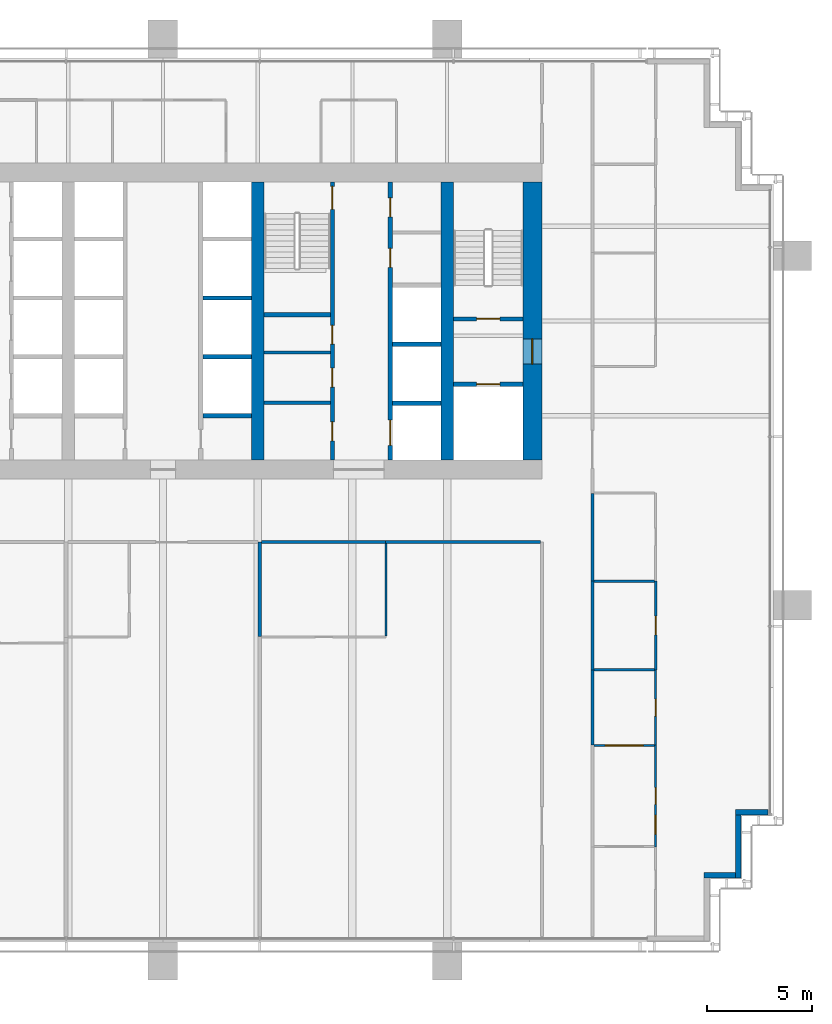
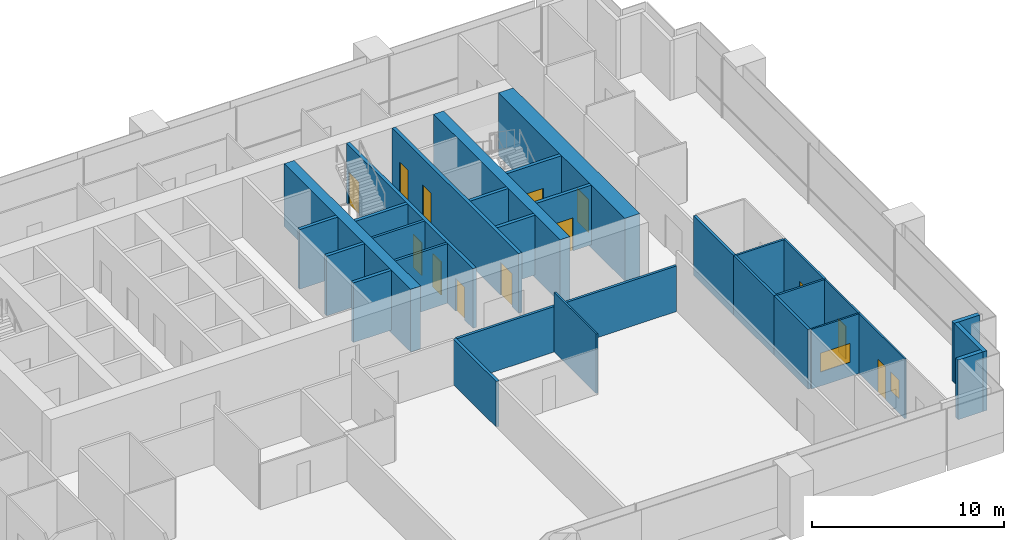
# One storey, part 12 of 17: 31 walls, 13 doors, 2 windows, 15 openings.
"""IFC4 building model written with IfcOpenShell, lengths in metres."""

from ifc_helpers import new_model, si_unit, direction, frame, frame_2d, origin, place, context, subcontext, project, spatial, rectangle, extrude, material, layer, layer_set, type_object, element, fill, save


model = new_model("IFC4")

# Units and contexts
model_context = context("Model", 3, precision=1e-05, world=origin(), true_north=direction((0.0, 1.0)))
body_context = subcontext(model_context, "Body", "Model", "MODEL_VIEW")
ifc_project = project(units=[si_unit("LENGTHUNIT", "METRE"), si_unit("AREAUNIT", "SQUARE_METRE"), si_unit("VOLUMEUNIT", "CUBIC_METRE"), si_unit("PLANEANGLEUNIT", "RADIAN"), si_unit("MASSUNIT", "GRAM", prefix="KILO")], contexts=[model_context])

# Site, building, storey
site_placement = place(None, origin())
site = spatial("IfcSite", under=ifc_project, at=site_placement, CompositionType="ELEMENT")
building_placement = place(site_placement, origin())
building = spatial("IfcBuilding", under=site, at=building_placement, Name="Rattan Terrace Tower", CompositionType="ELEMENT")
storey_placement = place(building_placement, frame((0.0, 0.0, 146.10009765625)))
storey = spatial("IfcBuildingStorey", under=building, at=storey_placement, Name="L33", CompositionType="ELEMENT", Elevation=146.10009765625)

# Walls
ifc_material_1 = material(Name="Gypsum board partition")
ifc_layer_1 = layer(ifc_material_1, 0.14990234375)
ifc_layer_set_1 = layer_set([ifc_layer_1], Name="Core partition 150")
wall_type_1 = type_object("IfcWallType", Name="Core partition 150", PredefinedType="PARTITIONING", material=ifc_layer_set_1)
for number, where, z_axis, x_axis, name in (
    (1, (4.800048828125, -3.8798828125, 0.0), (0.0, 0.0, 1.0), (1.0, 0.0, 0.0), "Toilet wall"),
    (2, (4.800048828125, -1.5, 0.0), (0.0, 0.0, 1.0), (1.0, 0.0, 0.0), "Toilet wall"),
):
    element("IfcWall", number, at=place(storey_placement, frame(where, z_axis=z_axis, x_axis=x_axis)), inside=storey, type_object=wall_type_1, Name=name, PredefinedType="PARTITIONING", context=body_context, shape_type="SweptSolid", body=[
        extrude(rectangle(XDim=3.14990234375, YDim=0.14990234375, at=frame_2d((1.574951171875, 0.0))), origin(), (0.0, 0.0, 1.0), 3.7998046875),
    ])

# Wall, opening, door
ifc_material_2 = material(Name="Gypsum board partition")
ifc_layer_2 = layer(ifc_material_2, 0.199951171875)
ifc_layer_set_2 = layer_set([ifc_layer_2], Name="Core partition 200")
wall_type_2 = type_object("IfcWallType", Name="Core partition 200", PredefinedType="PARTITIONING", material=ifc_layer_set_2)
wall_1_placement = place(storey_placement, frame((13.800048828125, -3.0, 0.0), z_axis=(0.0, 0.0, 1.0), x_axis=(1.0, 0.0, 0.0)))
wall_1 = element("IfcWall", 3, at=wall_1_placement, inside=storey, type_object=wall_type_2, Name="Fire-fighting lobby wall", PredefinedType="PARTITIONING", context=body_context, shape_type="SweptSolid", body=[
    extrude(rectangle(XDim=3.300048828125, YDim=0.199951171875, at=frame_2d((1.64990234375, 0.0))), origin(), (0.0, 0.0, 1.0), 3.7998046875),
])
opening_1_placement = place(wall_1_placement, frame((1.10009765625, 0.0, 0.0)))
opening_1 = element("IfcOpeningElement", 4, at=opening_1_placement, cuts=wall_1, Name="Opening L33-LD-FF2", PredefinedType="OPENING", context=body_context, shape_type="SweptSolid", body=[
    extrude(rectangle(XDim=1.10009765625, YDim=2.10009765625, at=frame_2d((0.550048828125, 1.050048828125))), frame((0.0, 0.110595703125, 0.0), z_axis=(0.0, -1.0, 0.0), x_axis=(1.0, 0.0, 0.0)), (0.0, 0.0, 1.0), 0.220947265625),
])
ifc_material_3 = material(Name="Brushed stainless landing door panel")
door_type_1 = type_object("IfcDoorType", Name="Core lift landing door 1100", OperationType="DOUBLE_DOOR_SLIDING", PredefinedType="DOOR", material=ifc_material_3)
door_1_placement = place(opening_1_placement, origin())
door_1 = element("IfcDoor", 5, at=door_1_placement, inside=storey, type_object=door_type_1, Name="Door L33-LD-FF2", OperationType="DOUBLE_DOOR_SLIDING", OverallHeight=2.10009765625, OverallWidth=1.10009765625, PredefinedType="DOOR", context=body_context, shape_type="SweptSolid", body=[
    extrude(rectangle(XDim=1.10009765625, YDim=2.10009765625, at=frame_2d((0.550048828125, 1.050048828125))), frame((0.0, 0.02490234375, 0.0), z_axis=(0.0, -1.0, 0.0), x_axis=(1.0, 0.0, 0.0)), (0.0, 0.0, 1.0), 0.050048828125),
])
fill(opening_1, door_1)

wall_2_placement = place(storey_placement, frame((13.800048828125, 0.10009765625, 0.0), z_axis=(0.0, 0.0, 1.0), x_axis=(1.0, 0.0, 0.0)))
wall_2 = element("IfcWall", 6, at=wall_2_placement, inside=storey, type_object=wall_type_2, Name="Stair enclosure wall", PredefinedType="PARTITIONING", context=body_context, shape_type="SweptSolid", body=[
    extrude(rectangle(XDim=3.300048828125, YDim=0.199951171875, at=frame_2d((1.64990234375, 0.0))), origin(), (0.0, 0.0, 1.0), 3.7998046875),
])
opening_2_placement = place(wall_2_placement, frame((1.10009765625, 0.0, 0.0)))
opening_2 = element("IfcOpeningElement", 7, at=opening_2_placement, cuts=wall_2, Name="Opening L33-D004", PredefinedType="OPENING", context=body_context, shape_type="SweptSolid", body=[
    extrude(rectangle(XDim=1.10009765625, YDim=2.10009765625, at=frame_2d((0.550048828125, 1.050048828125))), frame((0.0, 0.110595703125, 0.0), z_axis=(0.0, -1.0, 0.0), x_axis=(1.0, 0.0, 0.0)), (0.0, 0.0, 1.0), 0.220947265625),
])
ifc_material_4 = material(Name="Hollow-metal fire door leaf")
door_type_2 = type_object("IfcDoorType", Name="Core stair door 1100", OperationType="NOTDEFINED", PredefinedType="DOOR", material=ifc_material_4)
door_2_placement = place(opening_2_placement, origin())
door_2 = element("IfcDoor", 8, at=door_2_placement, inside=storey, type_object=door_type_2, Name="Door L33-D004", OperationType="SINGLE_SWING_LEFT", OverallHeight=2.10009765625, OverallWidth=1.10009765625, PredefinedType="DOOR", context=body_context, shape_type="SweptSolid", body=[
    extrude(rectangle(XDim=1.10009765625, YDim=2.10009765625, at=frame_2d((0.550048828125, 1.050048828125))), frame((0.0, 0.02490234375, 0.0), z_axis=(0.0, -1.0, 0.0), x_axis=(1.0, 0.0, 0.0)), (0.0, 0.0, 1.0), 0.050048828125),
])
fill(opening_2, door_2)

# Wall, openings, doors
wall_3_placement = place(storey_placement, frame((8.050048828125, -6.60009765625, 0.0), z_axis=(0.0, 0.0, 1.0), x_axis=(0.0, 1.0, 0.0)))
wall_3 = element("IfcWall", 9, at=wall_3_placement, inside=storey, type_object=wall_type_2, Name="Lobby wall west", PredefinedType="PARTITIONING", context=body_context, shape_type="SweptSolid", body=[
    extrude(rectangle(XDim=13.2001953125, YDim=0.199951171875, at=frame_2d((6.60009765625, 0.0))), origin(), (0.0, 0.0, 1.0), 3.7998046875),
])
opening_3_placement = place(wall_3_placement, frame((0.909912109375, 0.0, 0.0)))
opening_3 = element("IfcOpeningElement", 10, at=opening_3_placement, cuts=wall_3, Name="Opening L33-D011", PredefinedType="OPENING", context=body_context, shape_type="SweptSolid", body=[
    extrude(rectangle(XDim=0.89990234375, YDim=2.10009765625, at=frame_2d((0.449951171875, 1.050048828125))), frame((0.0, 0.110595703125, 0.0), z_axis=(0.0, -1.0, 0.0), x_axis=(1.0, 0.0, 0.0)), (0.0, 0.0, 1.0), 0.220947265625),
])
opening_4_placement = place(wall_3_placement, frame((3.4599609375, 0.0, 0.0)))
opening_4 = element("IfcOpeningElement", 11, at=opening_4_placement, cuts=wall_3, Name="Opening L33-D012", PredefinedType="OPENING", context=body_context, shape_type="SweptSolid", body=[
    extrude(rectangle(XDim=0.89990234375, YDim=2.10009765625, at=frame_2d((0.449951171875, 1.050048828125))), frame((0.0, 0.110595703125, 0.0), z_axis=(0.0, -1.0, 0.0), x_axis=(1.0, 0.0, 0.0)), (0.0, 0.0, 1.0), 0.220947265625),
])
opening_5_placement = place(wall_3_placement, frame((5.5, 0.0, 0.0)))
opening_5 = element("IfcOpeningElement", 12, at=opening_5_placement, cuts=wall_3, Name="Opening L33-D013", PredefinedType="OPENING", context=body_context, shape_type="SweptSolid", body=[
    extrude(rectangle(XDim=0.89990234375, YDim=2.10009765625, at=frame_2d((0.449951171875, 1.050048828125))), frame((0.0, 0.110595703125, 0.0), z_axis=(0.0, -1.0, 0.0), x_axis=(1.0, 0.0, 0.0)), (0.0, 0.0, 1.0), 0.220947265625),
])
opening_6_placement = place(wall_3_placement, frame((11.89990234375, 0.0, 0.0)))
opening_6 = element("IfcOpeningElement", 13, at=opening_6_placement, cuts=wall_3, Name="Opening L33-D014", PredefinedType="OPENING", context=body_context, shape_type="SweptSolid", body=[
    extrude(rectangle(XDim=1.10009765625, YDim=2.10009765625, at=frame_2d((0.550048828125, 1.050048828125))), frame((0.0, 0.110595703125, 0.0), z_axis=(0.0, -1.0, 0.0), x_axis=(1.0, 0.0, 0.0)), (0.0, 0.0, 1.0), 0.220947265625),
])
ifc_material_5 = material(Name="Hollow-metal fire door leaf")
door_type_3 = type_object("IfcDoorType", Name="Core service room door 900", OperationType="NOTDEFINED", PredefinedType="DOOR", material=ifc_material_5)
door_3_placement = place(opening_5_placement, origin())
door_3 = element("IfcDoor", 14, at=door_3_placement, inside=storey, type_object=door_type_3, Name="Door L33-D013", OperationType="SINGLE_SWING_LEFT", OverallHeight=2.10009765625, OverallWidth=0.89990234375, PredefinedType="DOOR", context=body_context, shape_type="SweptSolid", body=[
    extrude(rectangle(XDim=0.89990234375, YDim=2.10009765625, at=frame_2d((0.449951171875, 1.050048828125))), frame((0.0, 0.02490234375, 0.0), z_axis=(0.0, -1.0, 0.0), x_axis=(1.0, 0.0, 0.0)), (0.0, 0.0, 1.0), 0.050048828125),
])
fill(opening_5, door_3)
door_4_placement = place(opening_6_placement, origin())
door_4 = element("IfcDoor", 15, at=door_4_placement, inside=storey, type_object=door_type_2, Name="Door L33-D014", OperationType="SINGLE_SWING_RIGHT", OverallHeight=2.10009765625, OverallWidth=1.10009765625, PredefinedType="DOOR", context=body_context, shape_type="SweptSolid", body=[
    extrude(rectangle(XDim=1.10009765625, YDim=2.10009765625, at=frame_2d((0.550048828125, 1.050048828125))), frame((0.0, 0.02490234375, 0.0), z_axis=(0.0, -1.0, 0.0), x_axis=(1.0, 0.0, 0.0)), (0.0, 0.0, 1.0), 0.050048828125),
])
fill(opening_6, door_4)
ifc_material_6 = material(Name="Hollow-metal fire door leaf")
door_type_4 = type_object("IfcDoorType", Name="Core toilet door 900", OperationType="NOTDEFINED", PredefinedType="DOOR", material=ifc_material_6)
door_5_placement = place(opening_3_placement, origin())
door_5 = element("IfcDoor", 16, at=door_5_placement, inside=storey, type_object=door_type_4, Name="Door L33-D011", OperationType="SINGLE_SWING_LEFT", OverallHeight=2.10009765625, OverallWidth=0.89990234375, PredefinedType="DOOR", context=body_context, shape_type="SweptSolid", body=[
    extrude(rectangle(XDim=0.89990234375, YDim=2.10009765625, at=frame_2d((0.449951171875, 1.050048828125))), frame((0.0, 0.02490234375, 0.0), z_axis=(0.0, -1.0, 0.0), x_axis=(1.0, 0.0, 0.0)), (0.0, 0.0, 1.0), 0.050048828125),
])
fill(opening_3, door_5)
door_6_placement = place(opening_4_placement, origin())
door_6 = element("IfcDoor", 17, at=door_6_placement, inside=storey, type_object=door_type_4, Name="Door L33-D012", OperationType="SINGLE_SWING_RIGHT", OverallHeight=2.10009765625, OverallWidth=0.89990234375, PredefinedType="DOOR", context=body_context, shape_type="SweptSolid", body=[
    extrude(rectangle(XDim=0.89990234375, YDim=2.10009765625, at=frame_2d((0.449951171875, 1.050048828125))), frame((0.0, 0.02490234375, 0.0), z_axis=(0.0, -1.0, 0.0), x_axis=(1.0, 0.0, 0.0)), (0.0, 0.0, 1.0), 0.050048828125),
])
fill(opening_4, door_6)

# Wall
wall_4_placement = place(storey_placement, frame((4.800048828125, 0.300048828125, 0.0), z_axis=(0.0, 0.0, 1.0), x_axis=(1.0, 0.0, 0.0)))
element("IfcWall", 18, at=wall_4_placement, inside=storey, type_object=wall_type_2, Name="Stair enclosure wall", PredefinedType="PARTITIONING", context=body_context, shape_type="SweptSolid", body=[
    extrude(rectangle(XDim=3.14990234375, YDim=0.199951171875, at=frame_2d((1.574951171875, 0.0))), origin(), (0.0, 0.0, 1.0), 3.7998046875),
])

# Wall, opening, door
ifc_material_7 = material(Name="Concrete C60/75", Category="concrete")
ifc_layer_3 = layer(ifc_material_7, 0.89990234375)
ifc_layer_set_3 = layer_set([ifc_layer_3], Name="Core ring wall 900 C60/75")
wall_type_3 = type_object("IfcWallType", Name="Core ring wall 900 C60/75", PredefinedType="SHEAR", material=ifc_layer_set_3)
wall_5_placement = place(storey_placement, frame((17.550048828125, -6.60009765625, -0.2001953125), z_axis=(0.0, 0.0, 1.0), x_axis=(0.0, 1.0, 0.0)))
wall_5 = element("IfcWall", 19, at=wall_5_placement, inside=storey, type_object=wall_type_3, Name="Rear core wall east", PredefinedType="SHEAR", context=body_context, shape_type="SweptSolid", body=[
    extrude(rectangle(XDim=13.2001953125, YDim=0.89990234375, at=frame_2d((6.60009765625, 0.0))), origin(), (0.0, 0.0, 1.0), 4.0),
])
opening_7_placement = place(wall_5_placement, frame((4.550048828125, 0.0, 0.199951171875)))
opening_7 = element("IfcOpeningElement", 20, at=opening_7_placement, cuts=wall_5, Name="Opening L33-D003", PredefinedType="OPENING", context=body_context, shape_type="SweptSolid", body=[
    extrude(rectangle(XDim=1.199951171875, YDim=2.10009765625, at=frame_2d((0.60009765625, 1.050048828125))), frame((0.0, 0.46044921875, 0.0), z_axis=(0.0, -1.0, 0.0), x_axis=(1.0, 0.0, 0.0)), (0.0, 0.0, 1.0), 0.9208984375),
])
ifc_material_8 = material(Name="Hollow-metal fire door leaf")
door_type_5 = type_object("IfcDoorType", Name="Core fire-fighting lobby door 1200", OperationType="NOTDEFINED", PredefinedType="DOOR", material=ifc_material_8)
door_7_placement = place(opening_7_placement, origin())
door_7 = element("IfcDoor", 21, at=door_7_placement, inside=storey, type_object=door_type_5, Name="Door L33-D003", OperationType="SINGLE_SWING_RIGHT", OverallHeight=2.10009765625, OverallWidth=1.199951171875, PredefinedType="DOOR", context=body_context, shape_type="SweptSolid", body=[
    extrude(rectangle(XDim=1.199951171875, YDim=2.10009765625, at=frame_2d((0.60009765625, 1.050048828125))), frame((0.0, 0.02490234375, 0.0), z_axis=(0.0, -1.0, 0.0), x_axis=(1.0, 0.0, 0.0)), (0.0, 0.0, 1.0), 0.050048828125),
])
fill(opening_7, door_7)

# Walls
ifc_material_9 = material(Name="Concrete C60/75", Category="concrete")
ifc_layer_4 = layer(ifc_material_9, 0.60009765625)
ifc_layer_set_4 = layer_set([ifc_layer_4], Name="Core spine wall 600 C60/75")
wall_type_4 = type_object("IfcWallType", Name="Core spine wall 600 C60/75", PredefinedType="SHEAR", material=ifc_layer_set_4)
for number, where, z_axis, x_axis, name in (
    (22, (4.5, -6.60009765625, -0.2001953125), (0.0, 0.0, 1.0), (0.0, 1.0, 0.0), "Core spine wall 3"),
    (23, (13.5, -6.60009765625, -0.2001953125), (0.0, 0.0, 1.0), (0.0, 1.0, 0.0), "Core spine wall 4"),
):
    element("IfcWall", number, at=place(storey_placement, frame(where, z_axis=z_axis, x_axis=x_axis)), inside=storey, type_object=wall_type_4, Name=name, PredefinedType="SHEAR", context=body_context, shape_type="SweptSolid", body=[
        extrude(rectangle(XDim=13.2001953125, YDim=0.60009765625, at=frame_2d((6.60009765625, 0.0))), origin(), (0.0, 0.0, 1.0), 4.0),
    ])
ifc_material_10 = material(Name="Insulated aluminium-clad stud wall", Category="aluminium")
ifc_layer_5 = layer(ifc_material_10, 0.25)
ifc_layer_set_5 = layer_set([ifc_layer_5], Name="Facade Riser Wall 250")
wall_type_5 = type_object("IfcWallType", Name="Facade Riser Wall 250", PredefinedType="SOLIDWALL", material=ifc_layer_set_5)
wall_6_placement = place(storey_placement, frame((25.705078125, -26.330078125, 0.0), z_axis=(0.0, 0.0, 1.0), x_axis=(1.0, 0.0, 0.0)))
element("IfcWall", 24, at=wall_6_placement, inside=storey, type_object=wall_type_5, Name="Riser wall L33-3", PredefinedType="SOLIDWALL", context=body_context, shape_type="SweptSolid", body=[
    extrude(rectangle(XDim=1.5, YDim=0.25, at=frame_2d((0.75, 0.0))), origin(), (0.0, 0.0, 1.0), 3.7998046875),
])
wall_7_placement = place(storey_placement, frame((27.330078125, -26.455078125, 0.0), z_axis=(0.0, 0.0, 1.0), x_axis=(0.0, 1.0, 0.0)))
element("IfcWall", 25, at=wall_7_placement, inside=storey, type_object=wall_type_5, Name="Riser wall L33-4", PredefinedType="SOLIDWALL", context=body_context, shape_type="SweptSolid", body=[
    extrude(rectangle(XDim=3.0, YDim=0.25, at=frame_2d((1.5, 0.0))), origin(), (0.0, 0.0, 1.0), 3.7998046875),
])
wall_8_placement = place(storey_placement, frame((27.205078125, -23.330078125, 0.0), z_axis=(0.0, 0.0, 1.0), x_axis=(1.0, 0.0, 0.0)))
element("IfcWall", 26, at=wall_8_placement, inside=storey, type_object=wall_type_5, Name="Riser wall L33-5", PredefinedType="SOLIDWALL", context=body_context, shape_type="SweptSolid", body=[
    extrude(rectangle(XDim=1.544921875, YDim=0.25, at=frame_2d((0.7724609375, 0.0))), origin(), (0.0, 0.0, 1.0), 3.7998046875),
])
ifc_material_11 = material(Name="Double steel stud acoustic partition, gypsum board, mineral wool, fire rated", Category="steel")
ifc_layer_6 = layer(ifc_material_11, 0.179931640625)
ifc_layer_set_6 = layer_set([ifc_layer_6], Name="Floors Acoustic Party Wall 180")
wall_type_6 = type_object("IfcWallType", Name="Floors Acoustic Party Wall 180", PredefinedType="PARTITIONING", material=ifc_layer_set_6)
wall_9_placement = place(storey_placement, frame((4.60009765625, -10.5, 0.0), z_axis=(0.0, 0.0, 1.0), x_axis=(0.0, -1.0, 0.0)))
element("IfcWall", 27, at=wall_9_placement, inside=storey, type_object=wall_type_6, Name="pt-L33-082", PredefinedType="PARTITIONING", context=body_context, shape_type="SweptSolid", body=[
    extrude(rectangle(XDim=4.47998046875, YDim=0.179931640625, at=frame_2d((2.239990234375, 0.0))), origin(), (0.0, 0.0, 1.0), 2.89990234375),
])

# Wall, openings, door, window
ifc_material_12 = material(Name="Gypsum board partition on steel studs", Category="steel")
ifc_layer_7 = layer(ifc_material_12, 0.10009765625)
ifc_layer_set_7 = layer_set([ifc_layer_7], Name="Floors Partition 100")
wall_type_7 = type_object("IfcWallType", Name="Floors Partition 100", PredefinedType="PARTITIONING", material=ifc_layer_set_7)
wall_10_placement = place(storey_placement, frame((23.39990234375, -24.97998046875, 0.0), z_axis=(0.0, 0.0, 1.0), x_axis=(0.0, 1.0, 0.0)))
wall_10 = element("IfcWall", 28, at=wall_10_placement, inside=storey, type_object=wall_type_7, Name="pt-L33-046", PredefinedType="PARTITIONING", context=body_context, shape_type="SweptSolid", body=[
    extrude(rectangle(XDim=4.840087890625, YDim=0.10009765625, at=frame_2d((2.419921875, 0.0))), origin(), (0.0, 0.0, 1.0), 3.7998046875),
])
opening_8_placement = place(wall_10_placement, frame((2.02001953125, 0.0, 0.0)))
opening_8 = element("IfcOpeningElement", 29, at=opening_8_placement, cuts=wall_10, Name="Opening L33-D110", PredefinedType="OPENING", context=body_context, shape_type="SweptSolid", body=[
    extrude(rectangle(XDim=0.800048828125, YDim=2.10009765625, at=frame_2d((0.39990234375, 1.050048828125))), frame((0.0, 0.060546875, 0.0), z_axis=(0.0, -1.0, 0.0), x_axis=(1.0, 0.0, 0.0)), (0.0, 0.0, 1.0), 0.12109375),
])
opening_9_placement = place(wall_10_placement, frame((0.594970703125, 0.0, 0.89990234375)))
opening_9 = element("IfcOpeningElement", 30, at=opening_9_placement, cuts=wall_10, Name="Opening L33-W101", PredefinedType="OPENING", context=body_context, shape_type="SweptSolid", body=[
    extrude(rectangle(XDim=0.89990234375, YDim=1.199951171875, at=frame_2d((0.449951171875, 0.60009765625))), frame((0.0, 0.060546875, 0.0), z_axis=(0.0, -1.0, 0.0), x_axis=(1.0, 0.0, 0.0)), (0.0, 0.0, 1.0), 0.12109375),
])
ifc_material_13 = material(Name="Solid core timber door, painted", Category="wood")
door_type_6 = type_object("IfcDoorType", Name="Floors Store Door 800x2100", OperationType="NOTDEFINED", PredefinedType="DOOR", material=ifc_material_13)
door_8_placement = place(opening_8_placement, origin())
door_8 = element("IfcDoor", 31, at=door_8_placement, inside=storey, type_object=door_type_6, Name="d-L33-110", OperationType="SINGLE_SWING_LEFT", OverallHeight=2.10009765625, OverallWidth=0.800048828125, PredefinedType="DOOR", context=body_context, shape_type="SweptSolid", body=[
    extrude(rectangle(XDim=0.800048828125, YDim=2.10009765625, at=frame_2d((0.39990234375, 1.050048828125))), frame((0.0, 0.02490234375, 0.0), z_axis=(0.0, -1.0, 0.0), x_axis=(1.0, 0.0, 0.0)), (0.0, 0.0, 1.0), 0.050048828125),
])
fill(opening_8, door_8)
ifc_material_14 = material(Name="Glass, clear, fixed in aluminium frame", Category="aluminium")
window_type_1 = type_object("IfcWindowType", Name="Interior Vision Window 900x1200", PartitioningType="SINGLE_PANEL", PredefinedType="WINDOW", material=ifc_material_14)
window_1_placement = place(opening_9_placement, origin())
window_1 = element("IfcWindow", 32, at=window_1_placement, inside=storey, type_object=window_type_1, Name="w-L33-101", OverallHeight=1.199951171875, OverallWidth=0.89990234375, PartitioningType="SINGLE_PANEL", PredefinedType="WINDOW", context=body_context, shape_type="SweptSolid", body=[
    extrude(rectangle(XDim=0.89990234375, YDim=1.199951171875, at=frame_2d((0.449951171875, 0.60009765625))), frame((0.0, 0.030029296875, 0.0), z_axis=(0.0, -1.0, 0.0), x_axis=(1.0, 0.0, 0.0)), (0.0, 0.0, 1.0), 0.06005859375),
])
fill(opening_9, window_1)

# Wall, opening, door
wall_11_placement = place(storey_placement, frame((23.39990234375, -20.139892578125, 0.0), z_axis=(0.0, 0.0, 1.0), x_axis=(0.0, 1.0, 0.0)))
wall_11 = element("IfcWall", 33, at=wall_11_placement, inside=storey, type_object=wall_type_7, Name="pt-L33-047", PredefinedType="PARTITIONING", context=body_context, shape_type="SweptSolid", body=[
    extrude(rectangle(XDim=3.559814453125, YDim=0.10009765625, at=frame_2d((1.77978515625, 0.0))), origin(), (0.0, 0.0, 1.0), 3.7998046875),
])
opening_10_placement = place(wall_11_placement, frame((1.3798828125, 0.0, 0.0)))
opening_10 = element("IfcOpeningElement", 34, at=opening_10_placement, cuts=wall_11, Name="Opening L33-D111", PredefinedType="OPENING", context=body_context, shape_type="SweptSolid", body=[
    extrude(rectangle(XDim=0.800048828125, YDim=2.10009765625, at=frame_2d((0.39990234375, 1.050048828125))), frame((0.0, 0.060546875, 0.0), z_axis=(0.0, -1.0, 0.0), x_axis=(1.0, 0.0, 0.0)), (0.0, 0.0, 1.0), 0.12109375),
])
door_9_placement = place(opening_10_placement, origin())
door_9 = element("IfcDoor", 35, at=door_9_placement, inside=storey, type_object=door_type_6, Name="d-L33-111", OperationType="SINGLE_SWING_RIGHT", OverallHeight=2.10009765625, OverallWidth=0.800048828125, PredefinedType="DOOR", context=body_context, shape_type="SweptSolid", body=[
    extrude(rectangle(XDim=0.800048828125, YDim=2.10009765625, at=frame_2d((0.39990234375, 1.050048828125))), frame((0.0, 0.02490234375, 0.0), z_axis=(0.0, -1.0, 0.0), x_axis=(1.0, 0.0, 0.0)), (0.0, 0.0, 1.0), 0.050048828125),
])
fill(opening_10, door_9)

# Wall, opening, window
wall_12_placement = place(storey_placement, frame((20.47509765625, -20.159912109375, 0.0), z_axis=(0.0, 0.0, 1.0), x_axis=(1.0, 0.0, 0.0)))
wall_12 = element("IfcWall", 36, at=wall_12_placement, inside=storey, type_object=wall_type_7, Name="pt-L33-056", PredefinedType="PARTITIONING", context=body_context, shape_type="SweptSolid", body=[
    extrude(rectangle(XDim=2.875, YDim=0.10009765625, at=frame_2d((1.4375, 0.0))), origin(), (0.0, 0.0, 1.0), 3.7998046875),
])
opening_11_placement = place(wall_12_placement, frame((0.537109375, 0.0, 0.89990234375)))
opening_11 = element("IfcOpeningElement", 37, at=opening_11_placement, cuts=wall_12, Name="Opening L33-W103", PredefinedType="OPENING", context=body_context, shape_type="SweptSolid", body=[
    extrude(rectangle(XDim=1.800048828125, YDim=1.199951171875, at=frame_2d((0.89990234375, 0.60009765625))), frame((0.0, 0.060546875, 0.0), z_axis=(0.0, -1.0, 0.0), x_axis=(1.0, 0.0, 0.0)), (0.0, 0.0, 1.0), 0.12109375),
])
ifc_material_15 = material(Name="Glass, clear, fixed in aluminium frame", Category="aluminium")
window_type_2 = type_object("IfcWindowType", Name="Interior Vision Window 1800x1200", PartitioningType="SINGLE_PANEL", PredefinedType="WINDOW", material=ifc_material_15)
window_2_placement = place(opening_11_placement, origin())
window_2 = element("IfcWindow", 38, at=window_2_placement, inside=storey, type_object=window_type_2, Name="w-L33-103", OverallHeight=1.199951171875, OverallWidth=1.800048828125, PartitioningType="SINGLE_PANEL", PredefinedType="WINDOW", context=body_context, shape_type="SweptSolid", body=[
    extrude(rectangle(XDim=1.800048828125, YDim=1.199951171875, at=frame_2d((0.89990234375, 0.60009765625))), frame((0.0, 0.030029296875, 0.0), z_axis=(0.0, -1.0, 0.0), x_axis=(1.0, 0.0, 0.0)), (0.0, 0.0, 1.0), 0.06005859375),
])
fill(opening_11, window_2)

# Walls
wall_13_placement = place(storey_placement, frame((10.60009765625, -14.949951171875, 0.0), z_axis=(0.0, 0.0, 1.0), x_axis=(0.0, 1.0, 0.0)))
element("IfcWall", 39, at=wall_13_placement, inside=storey, type_object=wall_type_7, Name="pt-L33-084", PredefinedType="PARTITIONING", context=body_context, shape_type="SweptSolid", body=[
    extrude(rectangle(XDim=4.375, YDim=0.10009765625, at=frame_2d((2.1875, 0.0))), origin(), (0.0, 0.0, 1.0), 3.7998046875),
])
ifc_material_16 = material(Name="Gypsum board partition on steel studs, fire rated", Category="steel")
ifc_layer_8 = layer(ifc_material_16, 0.14990234375)
ifc_layer_set_8 = layer_set([ifc_layer_8], Name="Floors Tenancy Wall 150")
wall_type_8 = type_object("IfcWallType", Name="Floors Tenancy Wall 150", PredefinedType="PARTITIONING", material=ifc_layer_set_8)
wall_14_placement = place(storey_placement, frame((20.39990234375, -16.580078125, 0.0), z_axis=(0.0, 0.0, 1.0), x_axis=(0.0, -1.0, 0.0)))
element("IfcWall", 40, at=wall_14_placement, inside=storey, type_object=wall_type_8, Name="pt-L33-012", PredefinedType="PARTITIONING", context=body_context, shape_type="SweptSolid", body=[
    extrude(rectangle(XDim=3.559814453125, YDim=0.14990234375, at=frame_2d((1.77978515625, 0.0))), origin(), (0.0, 0.0, 1.0), 3.7998046875),
])
wall_15_placement = place(storey_placement, frame((20.39990234375, -12.340087890625, 0.0), z_axis=(0.0, 0.0, 1.0), x_axis=(0.0, -1.0, 0.0)))
element("IfcWall", 41, at=wall_15_placement, inside=storey, type_object=wall_type_8, Name="pt-L33-013", PredefinedType="PARTITIONING", context=body_context, shape_type="SweptSolid", body=[
    extrude(rectangle(XDim=4.239990234375, YDim=0.14990234375, at=frame_2d((2.1201171875, 0.0))), origin(), (0.0, 0.0, 1.0), 3.7998046875),
])
wall_16_placement = place(storey_placement, frame((20.39990234375, -8.179931640625, 0.0), z_axis=(0.0, 0.0, 1.0), x_axis=(0.0, -1.0, 0.0)))
element("IfcWall", 42, at=wall_16_placement, inside=storey, type_object=wall_type_8, Name="pt-L33-014", PredefinedType="PARTITIONING", context=body_context, shape_type="SweptSolid", body=[
    extrude(rectangle(XDim=4.16015625, YDim=0.14990234375, at=frame_2d((2.080078125, 0.0))), origin(), (0.0, 0.0, 1.0), 3.7998046875),
])
wall_17_placement = place(storey_placement, frame((17.925048828125, -10.5, 0.0), z_axis=(0.0, 0.0, 1.0), x_axis=(-1.0, 0.0, 0.0)))
element("IfcWall", 43, at=wall_17_placement, inside=storey, type_object=wall_type_8, Name="pt-L33-028", PredefinedType="PARTITIONING", context=body_context, shape_type="SweptSolid", body=[
    extrude(rectangle(XDim=7.344970703125, YDim=0.14990234375, at=frame_2d((3.67236328125, 0.0))), origin(), (0.0, 0.0, 1.0), 2.89990234375),
])
wall_18_placement = place(storey_placement, frame((10.580078125, -10.5, 0.0), z_axis=(0.0, 0.0, 1.0), x_axis=(-1.0, 0.0, 0.0)))
element("IfcWall", 44, at=wall_18_placement, inside=storey, type_object=wall_type_8, Name="pt-L33-030", PredefinedType="PARTITIONING", context=body_context, shape_type="SweptSolid", body=[
    extrude(rectangle(XDim=5.89013671875, YDim=0.14990234375, at=frame_2d((2.945068359375, 0.0))), origin(), (0.0, 0.0, 1.0), 2.89990234375),
])

# Wall, opening, door
ifc_material_17 = material(Name="Moisture resistant gypsum board partition on steel studs with service cavity", Category="steel")
ifc_layer_9 = layer(ifc_material_17, 0.1201171875)
ifc_layer_set_9 = layer_set([ifc_layer_9], Name="Floors Wet Wall 120")
wall_type_9 = type_object("IfcWallType", Name="Floors Wet Wall 120", PredefinedType="PARTITIONING", material=ifc_layer_set_9)
wall_19_placement = place(storey_placement, frame((23.39990234375, -16.580078125, 0.0), z_axis=(0.0, 0.0, 1.0), x_axis=(0.0, 1.0, 0.0)))
wall_19 = element("IfcWall", 45, at=wall_19_placement, inside=storey, type_object=wall_type_9, Name="pt-L33-048", PredefinedType="PARTITIONING", context=body_context, shape_type="SweptSolid", body=[
    extrude(rectangle(XDim=4.239990234375, YDim=0.1201171875, at=frame_2d((2.1201171875, 0.0))), origin(), (0.0, 0.0, 1.0), 3.7998046875),
])
opening_12_placement = place(wall_19_placement, frame((1.669921875, 0.0, 0.0)))
opening_12 = element("IfcOpeningElement", 46, at=opening_12_placement, cuts=wall_19, Name="Opening L33-D112", PredefinedType="OPENING", context=body_context, shape_type="SweptSolid", body=[
    extrude(rectangle(XDim=0.89990234375, YDim=2.10009765625, at=frame_2d((0.449951171875, 1.050048828125))), frame((0.0, 0.070556640625, 0.0), z_axis=(0.0, -1.0, 0.0), x_axis=(1.0, 0.0, 0.0)), (0.0, 0.0, 1.0), 0.14111328125),
])
ifc_material_18 = material(Name="Solid core timber door, painted", Category="wood")
door_type_7 = type_object("IfcDoorType", Name="Floors Door 900x2100", OperationType="NOTDEFINED", PredefinedType="DOOR", material=ifc_material_18)
door_10_placement = place(opening_12_placement, origin())
door_10 = element("IfcDoor", 47, at=door_10_placement, inside=storey, type_object=door_type_7, Name="d-L33-112", OperationType="SINGLE_SWING_LEFT", OverallHeight=2.10009765625, OverallWidth=0.89990234375, PredefinedType="DOOR", context=body_context, shape_type="SweptSolid", body=[
    extrude(rectangle(XDim=0.89990234375, YDim=2.10009765625, at=frame_2d((0.449951171875, 1.050048828125))), frame((0.0, 0.02490234375, 0.0), z_axis=(0.0, -1.0, 0.0), x_axis=(1.0, 0.0, 0.0)), (0.0, 0.0, 1.0), 0.050048828125),
])
fill(opening_12, door_10)

# Walls
for number, where, z_axis, x_axis, name in (
    (48, (20.47509765625, -16.56005859375, 0.0), (0.0, 0.0, 1.0), (1.0, 0.0, 0.0), "pt-L33-057"),
    (49, (20.47509765625, -12.360107421875, 0.0), (0.0, 0.0, 1.0), (1.0, 0.0, 0.0), "pt-L33-058"),
):
    element("IfcWall", number, at=place(storey_placement, frame(where, z_axis=z_axis, x_axis=x_axis)), inside=storey, type_object=wall_type_9, Name=name, PredefinedType="PARTITIONING", context=body_context, shape_type="SweptSolid", body=[
        extrude(rectangle(XDim=2.864990234375, YDim=0.1201171875, at=frame_2d((1.4326171875, 0.0))), origin(), (0.0, 0.0, 1.0), 3.7998046875),
    ])
ifc_material_19 = material(Name="Gypsum shaft wall system")
ifc_layer_10 = layer(ifc_material_19, 0.199951171875)
ifc_layer_set_10 = layer_set([ifc_layer_10], Name="Lift shaft wall 200")
wall_type_10 = type_object("IfcWallType", Name="Lift shaft wall 200", PredefinedType="PARTITIONING", material=ifc_layer_set_10)
for number, where, z_axis, x_axis, name in (
    (50, (1.89990234375, -1.699951171875, 0.0), (0.0, 0.0, 1.0), (1.0, 0.0, 0.0), "Lift shaft wall"),
    (51, (1.89990234375, 1.10009765625, 0.0), (0.0, 0.0, 1.0), (1.0, 0.0, 0.0), "Lift shaft wall"),
    (52, (1.89990234375, -4.5, 0.0), (0.0, 0.0, 1.0), (1.0, 0.0, 0.0), "Lift shaft wall"),
):
    element("IfcWall", number, at=place(storey_placement, frame(where, z_axis=z_axis, x_axis=x_axis)), inside=storey, type_object=wall_type_10, Name=name, PredefinedType="PARTITIONING", context=body_context, shape_type="SweptSolid", body=[
        extrude(rectangle(XDim=2.300048828125, YDim=0.199951171875, at=frame_2d((1.14990234375, 0.0))), origin(), (0.0, 0.0, 1.0), 3.7998046875),
    ])

# Wall, openings, doors
wall_20_placement = place(storey_placement, frame((10.800048828125, -6.60009765625, 0.0), z_axis=(0.0, 0.0, 1.0), x_axis=(0.0, 1.0, 0.0)))
wall_20 = element("IfcWall", 53, at=wall_20_placement, inside=storey, type_object=wall_type_10, Name="Lift shaft front wall", PredefinedType="PARTITIONING", context=body_context, shape_type="SweptSolid", body=[
    extrude(rectangle(XDim=13.2001953125, YDim=0.199951171875, at=frame_2d((6.60009765625, 0.0))), origin(), (0.0, 0.0, 1.0), 3.7998046875),
])
opening_13_placement = place(wall_20_placement, frame((0.699951171875, 0.0, 0.0)))
opening_13 = element("IfcOpeningElement", 54, at=opening_13_placement, cuts=wall_20, Name="Opening L33-LD-SV1", PredefinedType="OPENING", context=body_context, shape_type="SweptSolid", body=[
    extrude(rectangle(XDim=1.199951171875, YDim=2.10009765625, at=frame_2d((0.60009765625, 1.050048828125))), frame((0.0, 0.110595703125, 0.0), z_axis=(0.0, -1.0, 0.0), x_axis=(1.0, 0.0, 0.0)), (0.0, 0.0, 1.0), 0.220947265625),
])
opening_14_placement = place(wall_20_placement, frame((9.14990234375, 0.0, 0.0)))
opening_14 = element("IfcOpeningElement", 55, at=opening_14_placement, cuts=wall_20, Name="Opening L33-D016", PredefinedType="OPENING", context=body_context, shape_type="SweptSolid", body=[
    extrude(rectangle(XDim=0.89990234375, YDim=2.10009765625, at=frame_2d((0.449951171875, 1.050048828125))), frame((0.0, 0.110595703125, 0.0), z_axis=(0.0, -1.0, 0.0), x_axis=(1.0, 0.0, 0.0)), (0.0, 0.0, 1.0), 0.220947265625),
])
opening_15_placement = place(wall_20_placement, frame((11.550048828125, 0.0, 0.0)))
opening_15 = element("IfcOpeningElement", 56, at=opening_15_placement, cuts=wall_20, Name="Opening L33-D017", PredefinedType="OPENING", context=body_context, shape_type="SweptSolid", body=[
    extrude(rectangle(XDim=0.89990234375, YDim=2.10009765625, at=frame_2d((0.449951171875, 1.050048828125))), frame((0.0, 0.110595703125, 0.0), z_axis=(0.0, -1.0, 0.0), x_axis=(1.0, 0.0, 0.0)), (0.0, 0.0, 1.0), 0.220947265625),
])
ifc_material_20 = material(Name="Brushed stainless landing door panel")
door_type_8 = type_object("IfcDoorType", Name="Core lift landing door 1200", OperationType="DOUBLE_DOOR_SLIDING", PredefinedType="DOOR", material=ifc_material_20)
door_11_placement = place(opening_13_placement, origin())
door_11 = element("IfcDoor", 57, at=door_11_placement, inside=storey, type_object=door_type_8, Name="Door L33-LD-SV1", OperationType="DOUBLE_DOOR_SLIDING", OverallHeight=2.10009765625, OverallWidth=1.199951171875, PredefinedType="DOOR", context=body_context, shape_type="SweptSolid", body=[
    extrude(rectangle(XDim=1.199951171875, YDim=2.10009765625, at=frame_2d((0.60009765625, 1.050048828125))), frame((0.0, 0.02490234375, 0.0), z_axis=(0.0, -1.0, 0.0), x_axis=(1.0, 0.0, 0.0)), (0.0, 0.0, 1.0), 0.050048828125),
])
fill(opening_13, door_11)
ifc_material_21 = material(Name="Hollow-metal fire door leaf")
door_type_9 = type_object("IfcDoorType", Name="Core riser door 900", OperationType="NOTDEFINED", PredefinedType="DOOR", material=ifc_material_21)
door_12_placement = place(opening_14_placement, origin())
door_12 = element("IfcDoor", 58, at=door_12_placement, inside=storey, type_object=door_type_9, Name="Door L33-D016", OperationType="SINGLE_SWING_LEFT", OverallHeight=2.10009765625, OverallWidth=0.89990234375, PredefinedType="DOOR", context=body_context, shape_type="SweptSolid", body=[
    extrude(rectangle(XDim=0.89990234375, YDim=2.10009765625, at=frame_2d((0.449951171875, 1.050048828125))), frame((0.0, 0.02490234375, 0.0), z_axis=(0.0, -1.0, 0.0), x_axis=(1.0, 0.0, 0.0)), (0.0, 0.0, 1.0), 0.050048828125),
])
fill(opening_14, door_12)
door_13_placement = place(opening_15_placement, origin())
door_13 = element("IfcDoor", 59, at=door_13_placement, inside=storey, type_object=door_type_9, Name="Door L33-D017", OperationType="SINGLE_SWING_RIGHT", OverallHeight=2.10009765625, OverallWidth=0.89990234375, PredefinedType="DOOR", context=body_context, shape_type="SweptSolid", body=[
    extrude(rectangle(XDim=0.89990234375, YDim=2.10009765625, at=frame_2d((0.449951171875, 1.050048828125))), frame((0.0, 0.02490234375, 0.0), z_axis=(0.0, -1.0, 0.0), x_axis=(1.0, 0.0, 0.0)), (0.0, 0.0, 1.0), 0.050048828125),
])
fill(opening_15, door_13)

# Walls
for number, where, z_axis, x_axis, name in (
    (60, (10.89990234375, -3.89990234375, 0.0), (0.0, 0.0, 1.0), (1.0, 0.0, 0.0), "Lift shaft wall"),
    (61, (10.89990234375, -1.10009765625, 0.0), (0.0, 0.0, 1.0), (1.0, 0.0, 0.0), "Lift shaft wall"),
):
    element("IfcWall", number, at=place(storey_placement, frame(where, z_axis=z_axis, x_axis=x_axis)), inside=storey, type_object=wall_type_10, Name=name, PredefinedType="PARTITIONING", context=body_context, shape_type="SweptSolid", body=[
        extrude(rectangle(XDim=2.300048828125, YDim=0.199951171875, at=frame_2d((1.14990234375, 0.0))), origin(), (0.0, 0.0, 1.0), 3.7998046875),
    ])

save(model, "model.ifc")
